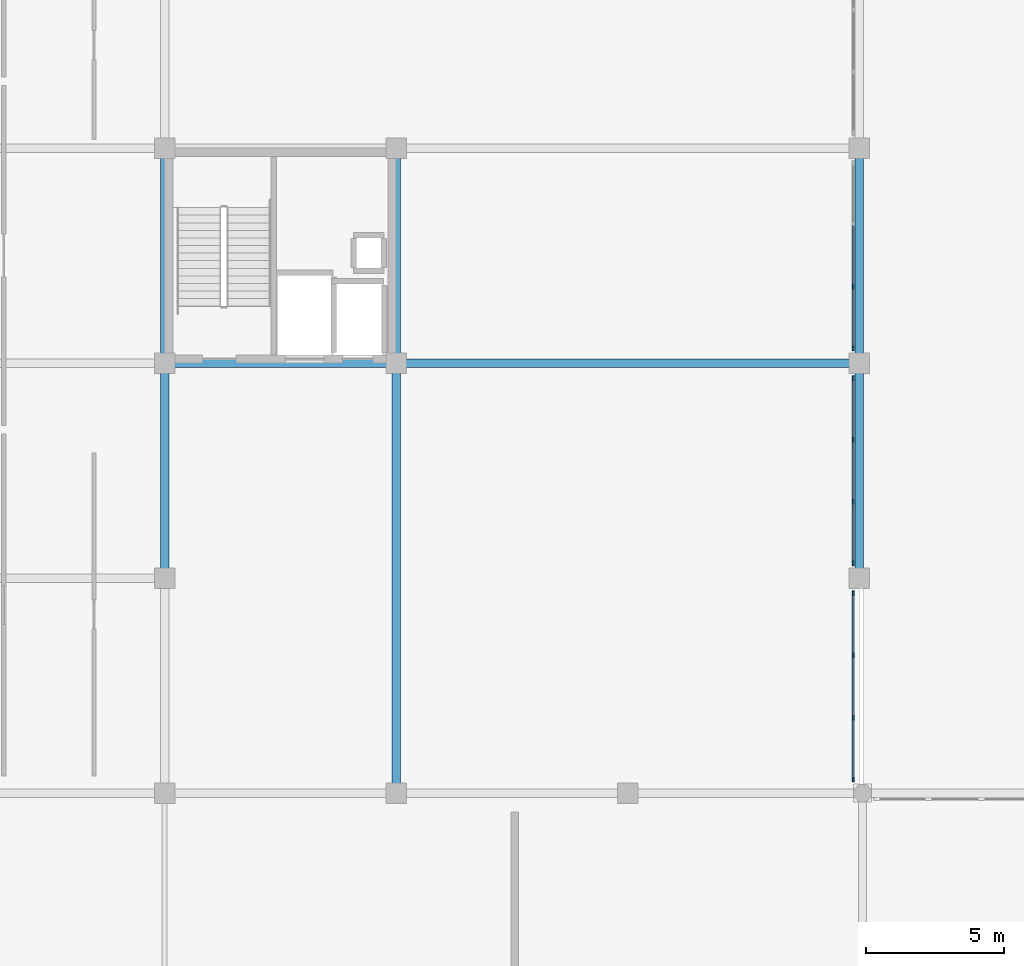
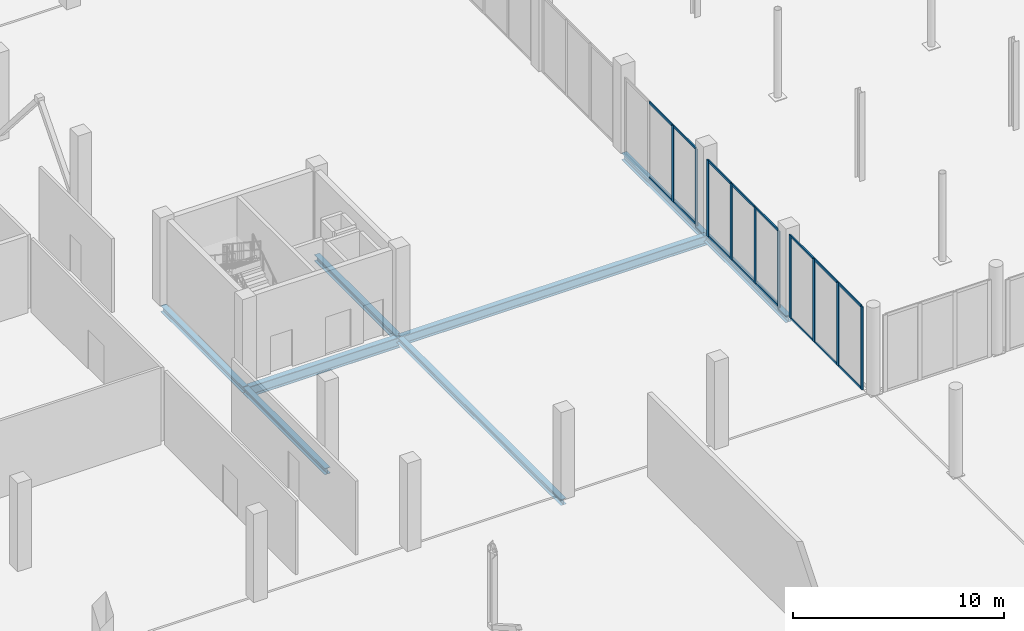
# One storey, part 22 of 80: 26 members, 8 beams, 3 elements without a shape of their own.
"""IFC4 building model written with IfcOpenShell, lengths in metres."""

from ifc_helpers import new_model, si_unit, direction, frame, origin, origin_2d, place, context, subcontext, project, spatial, rectangle, i_section, extrude, material, material_profile, profile_set, type_object, element, aggregate, save


model = new_model("IFC4")

# Units and contexts
model_context = context("Model", 3, precision=1e-05, world=origin(), true_north=direction((0.0, 1.0)))
body_context = subcontext(model_context, "Body", "Model", "MODEL_VIEW")
ifc_project = project(units=[si_unit("LENGTHUNIT", "METRE"), si_unit("AREAUNIT", "SQUARE_METRE"), si_unit("VOLUMEUNIT", "CUBIC_METRE"), si_unit("PLANEANGLEUNIT", "RADIAN"), si_unit("MASSUNIT", "GRAM", prefix="KILO")], contexts=[model_context])

# Site, building, storey
site_placement = place(None, origin())
site = spatial("IfcSite", under=ifc_project, at=site_placement, CompositionType="ELEMENT")
building_placement = place(site_placement, origin())
building = spatial("IfcBuilding", under=site, at=building_placement, Name="Nabrawat Pavilion Hospital", CompositionType="ELEMENT")
storey_placement = place(building_placement, origin())
storey = spatial("IfcBuildingStorey", under=building, at=storey_placement, Name="L00", CompositionType="ELEMENT", Elevation=0.0)

# Curtain wall, members
ifc_material_1 = material(Name="Anodised Aluminium", Category="aluminium")
curtain_wall_type = type_object("IfcCurtainWallType", Name="Healing Garden Cloister Curtain Wall", PredefinedType="USERDEFINED", material=ifc_material_1)
curtain_wall_1_placement = place(storey_placement, origin())
curtain_wall_1 = element("IfcCurtainWall", 1, at=curtain_wall_1_placement, inside=storey, type_object=curtain_wall_type, Name="L00 Healing Garden Cloister Curtain Wall 001", ObjectType="CURTAIN WALL", PredefinedType="USERDEFINED")
ifc_material_profile_1 = material_profile(ifc_material_1, rectangle(XDim=0.06494140625, YDim=0.179931640625, at=origin_2d()), Name="CWM 65x180")
ifc_profile_set_1 = profile_set([ifc_material_profile_1], Name="Anodised Aluminium")
member_type_1 = type_object("IfcMemberType", Name="Healing Garden Cloister Curtain Wall Mullion CWM 65x180", PredefinedType="MULLION", material=ifc_profile_set_1)
member_1_placement = place(storey_placement, frame((58.580078125, 39.49755859375, 0.0), z_axis=(0.0, 0.0, 1.0), x_axis=(-1.0, 0.0, 0.0)))
member_1 = element("IfcMember", 2, at=member_1_placement, type_object=member_type_1, Name="CW-CLN-01 mullion 1", PredefinedType="MULLION", context=body_context, shape_type="SweptSolid", body=[
    extrude(rectangle(XDim=0.06494140625, YDim=0.179931640625, at=origin_2d()), origin(), (0.0, 0.0, 1.0), 4.81005859375),
])
member_2_placement = place(storey_placement, frame((58.580078125, 41.73828125, 0.0), z_axis=(0.0, 0.0, 1.0), x_axis=(-1.0, 0.0, 0.0)))
member_2 = element("IfcMember", 3, at=member_2_placement, type_object=member_type_1, Name="CW-CLN-01 mullion 2", PredefinedType="MULLION", context=body_context, shape_type="SweptSolid", body=[
    extrude(rectangle(XDim=0.06494140625, YDim=0.179931640625, at=origin_2d()), origin(), (0.0, 0.0, 1.0), 4.81005859375),
])
member_3_placement = place(storey_placement, frame((58.580078125, 44.01171875, 0.0), z_axis=(0.0, 0.0, 1.0), x_axis=(-1.0, 0.0, 0.0)))
member_3 = element("IfcMember", 4, at=member_3_placement, type_object=member_type_1, Name="CW-CLN-01 mullion 3", PredefinedType="MULLION", context=body_context, shape_type="SweptSolid", body=[
    extrude(rectangle(XDim=0.06494140625, YDim=0.179931640625, at=origin_2d()), origin(), (0.0, 0.0, 1.0), 4.81005859375),
])
member_4_placement = place(storey_placement, frame((58.580078125, 46.25244140625, 0.0), z_axis=(0.0, 0.0, 1.0), x_axis=(-1.0, 0.0, 0.0)))
member_4 = element("IfcMember", 5, at=member_4_placement, type_object=member_type_1, Name="CW-CLN-01 mullion 4", PredefinedType="MULLION", context=body_context, shape_type="SweptSolid", body=[
    extrude(rectangle(XDim=0.06494140625, YDim=0.179931640625, at=origin_2d()), origin(), (0.0, 0.0, 1.0), 4.81005859375),
])

curtain_wall_2_placement = place(storey_placement, origin())
curtain_wall_2 = element("IfcCurtainWall", 6, at=curtain_wall_2_placement, inside=storey, type_object=curtain_wall_type, Name="L00 Healing Garden Cloister Curtain Wall 002", ObjectType="CURTAIN WALL", PredefinedType="USERDEFINED")
member_5_placement = place(storey_placement, frame((58.580078125, 47.347412109375, 0.0), z_axis=(0.0, 0.0, 1.0), x_axis=(-1.0, 0.0, 0.0)))
member_5 = element("IfcMember", 7, at=member_5_placement, type_object=member_type_1, Name="CW-CLN-01 mullion 1", PredefinedType="MULLION", context=body_context, shape_type="SweptSolid", body=[
    extrude(rectangle(XDim=0.06494140625, YDim=0.179931640625, at=origin_2d()), origin(), (0.0, 0.0, 1.0), 4.419921875),
])
member_6_placement = place(storey_placement, frame((58.580078125, 49.57177734375, 0.0), z_axis=(0.0, 0.0, 1.0), x_axis=(-1.0, 0.0, 0.0)))
member_6 = element("IfcMember", 8, at=member_6_placement, type_object=member_type_1, Name="CW-CLN-01 mullion 2", PredefinedType="MULLION", context=body_context, shape_type="SweptSolid", body=[
    extrude(rectangle(XDim=0.06494140625, YDim=0.179931640625, at=origin_2d()), origin(), (0.0, 0.0, 1.0), 4.419921875),
])
member_7_placement = place(storey_placement, frame((58.580078125, 51.828369140625, 0.0), z_axis=(0.0, 0.0, 1.0), x_axis=(-1.0, 0.0, 0.0)))
member_7 = element("IfcMember", 9, at=member_7_placement, type_object=member_type_1, Name="CW-CLN-01 mullion 3", PredefinedType="MULLION", context=body_context, shape_type="SweptSolid", body=[
    extrude(rectangle(XDim=0.06494140625, YDim=0.179931640625, at=origin_2d()), origin(), (0.0, 0.0, 1.0), 4.419921875),
])
member_8_placement = place(storey_placement, frame((58.580078125, 54.052490234375, 0.0), z_axis=(0.0, 0.0, 1.0), x_axis=(-1.0, 0.0, 0.0)))
member_8 = element("IfcMember", 10, at=member_8_placement, type_object=member_type_1, Name="CW-CLN-01 mullion 4", PredefinedType="MULLION", context=body_context, shape_type="SweptSolid", body=[
    extrude(rectangle(XDim=0.06494140625, YDim=0.179931640625, at=origin_2d()), origin(), (0.0, 0.0, 1.0), 4.419921875),
])

curtain_wall_3_placement = place(storey_placement, origin())
curtain_wall_3 = element("IfcCurtainWall", 11, at=curtain_wall_3_placement, inside=storey, type_object=curtain_wall_type, Name="L00 Healing Garden Cloister Curtain Wall 003", ObjectType="CURTAIN WALL", PredefinedType="USERDEFINED")
member_9_placement = place(storey_placement, frame((58.580078125, 55.1474609375, 0.0), z_axis=(0.0, 0.0, 1.0), x_axis=(-1.0, 0.0, 0.0)))
member_9 = element("IfcMember", 12, at=member_9_placement, type_object=member_type_1, Name="CW-CLN-01 mullion 1", PredefinedType="MULLION", context=body_context, shape_type="SweptSolid", body=[
    extrude(rectangle(XDim=0.06494140625, YDim=0.179931640625, at=origin_2d()), origin(), (0.0, 0.0, 1.0), 4.419921875),
])
member_10_placement = place(storey_placement, frame((58.580078125, 57.37158203125, 0.0), z_axis=(0.0, 0.0, 1.0), x_axis=(-1.0, 0.0, 0.0)))
member_10 = element("IfcMember", 13, at=member_10_placement, type_object=member_type_1, Name="CW-CLN-01 mullion 2", PredefinedType="MULLION", context=body_context, shape_type="SweptSolid", body=[
    extrude(rectangle(XDim=0.06494140625, YDim=0.179931640625, at=origin_2d()), origin(), (0.0, 0.0, 1.0), 4.419921875),
])

# Member
ifc_material_profile_2 = material_profile(ifc_material_1, rectangle(XDim=0.06494140625, YDim=0.135009765625, at=origin_2d()), Name="CWT 65x135")
ifc_profile_set_2 = profile_set([ifc_material_profile_2], Name="Anodised Aluminium")
member_type_2 = type_object("IfcMemberType", Name="Healing Garden Cloister Curtain Wall Transom CWT 65x135", PredefinedType="USERDEFINED", material=ifc_profile_set_2)
member_11_placement = place(storey_placement, frame((58.580078125, 39.530029296875, 0.032470703125), z_axis=(0.0, 1.0, 0.0), x_axis=(-1.0, 0.0, 0.0)))
member_11 = element("IfcMember", 14, at=member_11_placement, type_object=member_type_2, Name="CW-CLN-01 transom 1.1", ObjectType="TRANSOM", PredefinedType="USERDEFINED", context=body_context, shape_type="SweptSolid", body=[
    extrude(rectangle(XDim=0.06494140625, YDim=0.135009765625, at=origin_2d()), origin(), (0.0, 0.0, 1.0), 2.17578125),
])

member_12_placement = place(storey_placement, frame((58.580078125, 39.530029296875, 4.777587890625), z_axis=(0.0, 1.0, 0.0), x_axis=(-1.0, 0.0, 0.0)))
member_12 = element("IfcMember", 15, at=member_12_placement, type_object=member_type_2, Name="CW-CLN-01 transom 1.2", ObjectType="TRANSOM", PredefinedType="USERDEFINED", context=body_context, shape_type="SweptSolid", body=[
    extrude(rectangle(XDim=0.06494140625, YDim=0.135009765625, at=origin_2d()), origin(), (0.0, 0.0, 1.0), 2.17578125),
])

member_13_placement = place(storey_placement, frame((58.580078125, 41.770751953125, 0.032470703125), z_axis=(0.0, 1.0, 0.0), x_axis=(-1.0, 0.0, 0.0)))
member_13 = element("IfcMember", 16, at=member_13_placement, type_object=member_type_2, Name="CW-CLN-01 transom 2.1", ObjectType="TRANSOM", PredefinedType="USERDEFINED", context=body_context, shape_type="SweptSolid", body=[
    extrude(rectangle(XDim=0.06494140625, YDim=0.135009765625, at=origin_2d()), origin(), (0.0, 0.0, 1.0), 2.20849609375),
])

member_14_placement = place(storey_placement, frame((58.580078125, 41.770751953125, 4.777587890625), z_axis=(0.0, 1.0, 0.0), x_axis=(-1.0, 0.0, 0.0)))
member_14 = element("IfcMember", 17, at=member_14_placement, type_object=member_type_2, Name="CW-CLN-01 transom 2.2", ObjectType="TRANSOM", PredefinedType="USERDEFINED", context=body_context, shape_type="SweptSolid", body=[
    extrude(rectangle(XDim=0.06494140625, YDim=0.135009765625, at=origin_2d()), origin(), (0.0, 0.0, 1.0), 2.20849609375),
])

member_15_placement = place(storey_placement, frame((58.580078125, 44.044189453125, 0.032470703125), z_axis=(0.0, 1.0, 0.0), x_axis=(-1.0, 0.0, 0.0)))
member_15 = element("IfcMember", 18, at=member_15_placement, type_object=member_type_2, Name="CW-CLN-01 transom 3.1", ObjectType="TRANSOM", PredefinedType="USERDEFINED", context=body_context, shape_type="SweptSolid", body=[
    extrude(rectangle(XDim=0.06494140625, YDim=0.135009765625, at=origin_2d()), origin(), (0.0, 0.0, 1.0), 2.17578125),
])

member_16_placement = place(storey_placement, frame((58.580078125, 44.044189453125, 4.777587890625), z_axis=(0.0, 1.0, 0.0), x_axis=(-1.0, 0.0, 0.0)))
member_16 = element("IfcMember", 19, at=member_16_placement, type_object=member_type_2, Name="CW-CLN-01 transom 3.2", ObjectType="TRANSOM", PredefinedType="USERDEFINED", context=body_context, shape_type="SweptSolid", body=[
    extrude(rectangle(XDim=0.06494140625, YDim=0.135009765625, at=origin_2d()), origin(), (0.0, 0.0, 1.0), 2.17578125),
])

aggregate(curtain_wall_1, [member_1, member_2, member_3, member_4, member_11, member_12, member_13, member_14, member_15, member_16])

member_17_placement = place(storey_placement, frame((58.580078125, 47.3798828125, 0.032470703125), z_axis=(0.0, 1.0, 0.0), x_axis=(-1.0, 0.0, 0.0)))
member_17 = element("IfcMember", 20, at=member_17_placement, type_object=member_type_2, Name="CW-CLN-01 transom 1.1", ObjectType="TRANSOM", PredefinedType="USERDEFINED", context=body_context, shape_type="SweptSolid", body=[
    extrude(rectangle(XDim=0.06494140625, YDim=0.135009765625, at=origin_2d()), origin(), (0.0, 0.0, 1.0), 2.1591796875),
])

member_18_placement = place(storey_placement, frame((58.580078125, 47.3798828125, 4.387451171875), z_axis=(0.0, 1.0, 0.0), x_axis=(-1.0, 0.0, 0.0)))
member_18 = element("IfcMember", 21, at=member_18_placement, type_object=member_type_2, Name="CW-CLN-01 transom 1.2", ObjectType="TRANSOM", PredefinedType="USERDEFINED", context=body_context, shape_type="SweptSolid", body=[
    extrude(rectangle(XDim=0.06494140625, YDim=0.135009765625, at=origin_2d()), origin(), (0.0, 0.0, 1.0), 2.1591796875),
])

member_19_placement = place(storey_placement, frame((58.580078125, 49.604248046875, 0.032470703125), z_axis=(0.0, 1.0, 0.0), x_axis=(-1.0, 0.0, 0.0)))
member_19 = element("IfcMember", 22, at=member_19_placement, type_object=member_type_2, Name="CW-CLN-01 transom 2.1", ObjectType="TRANSOM", PredefinedType="USERDEFINED", context=body_context, shape_type="SweptSolid", body=[
    extrude(rectangle(XDim=0.06494140625, YDim=0.135009765625, at=origin_2d()), origin(), (0.0, 0.0, 1.0), 2.191650390625),
])

member_20_placement = place(storey_placement, frame((58.580078125, 49.604248046875, 4.387451171875), z_axis=(0.0, 1.0, 0.0), x_axis=(-1.0, 0.0, 0.0)))
member_20 = element("IfcMember", 23, at=member_20_placement, type_object=member_type_2, Name="CW-CLN-01 transom 2.2", ObjectType="TRANSOM", PredefinedType="USERDEFINED", context=body_context, shape_type="SweptSolid", body=[
    extrude(rectangle(XDim=0.06494140625, YDim=0.135009765625, at=origin_2d()), origin(), (0.0, 0.0, 1.0), 2.191650390625),
])

member_21_placement = place(storey_placement, frame((58.580078125, 51.86083984375, 0.032470703125), z_axis=(0.0, 1.0, 0.0), x_axis=(-1.0, 0.0, 0.0)))
member_21 = element("IfcMember", 24, at=member_21_placement, type_object=member_type_2, Name="CW-CLN-01 transom 3.1", ObjectType="TRANSOM", PredefinedType="USERDEFINED", context=body_context, shape_type="SweptSolid", body=[
    extrude(rectangle(XDim=0.06494140625, YDim=0.135009765625, at=origin_2d()), origin(), (0.0, 0.0, 1.0), 2.1591796875),
])

member_22_placement = place(storey_placement, frame((58.580078125, 51.86083984375, 4.387451171875), z_axis=(0.0, 1.0, 0.0), x_axis=(-1.0, 0.0, 0.0)))
member_22 = element("IfcMember", 25, at=member_22_placement, type_object=member_type_2, Name="CW-CLN-01 transom 3.2", ObjectType="TRANSOM", PredefinedType="USERDEFINED", context=body_context, shape_type="SweptSolid", body=[
    extrude(rectangle(XDim=0.06494140625, YDim=0.135009765625, at=origin_2d()), origin(), (0.0, 0.0, 1.0), 2.1591796875),
])

aggregate(curtain_wall_2, [member_5, member_6, member_7, member_8, member_17, member_18, member_19, member_20, member_21, member_22])

member_23_placement = place(storey_placement, frame((58.580078125, 55.179931640625, 0.032470703125), z_axis=(0.0, 1.0, 0.0), x_axis=(-1.0, 0.0, 0.0)))
member_23 = element("IfcMember", 26, at=member_23_placement, type_object=member_type_2, Name="CW-CLN-01 transom 1.1", ObjectType="TRANSOM", PredefinedType="USERDEFINED", context=body_context, shape_type="SweptSolid", body=[
    extrude(rectangle(XDim=0.06494140625, YDim=0.135009765625, at=origin_2d()), origin(), (0.0, 0.0, 1.0), 2.1591796875),
])

member_24_placement = place(storey_placement, frame((58.580078125, 55.179931640625, 4.387451171875), z_axis=(0.0, 1.0, 0.0), x_axis=(-1.0, 0.0, 0.0)))
member_24 = element("IfcMember", 27, at=member_24_placement, type_object=member_type_2, Name="CW-CLN-01 transom 1.2", ObjectType="TRANSOM", PredefinedType="USERDEFINED", context=body_context, shape_type="SweptSolid", body=[
    extrude(rectangle(XDim=0.06494140625, YDim=0.135009765625, at=origin_2d()), origin(), (0.0, 0.0, 1.0), 2.1591796875),
])

member_25_placement = place(storey_placement, frame((58.580078125, 57.404052734375, 0.032470703125), z_axis=(0.0, 1.0, 0.0), x_axis=(-1.0, 0.0, 0.0)))
member_25 = element("IfcMember", 28, at=member_25_placement, type_object=member_type_2, Name="CW-CLN-01 transom 2.1", ObjectType="TRANSOM", PredefinedType="USERDEFINED", context=body_context, shape_type="SweptSolid", body=[
    extrude(rectangle(XDim=0.06494140625, YDim=0.135009765625, at=origin_2d()), origin(), (0.0, 0.0, 1.0), 2.19189453125),
])

member_26_placement = place(storey_placement, frame((58.580078125, 57.404052734375, 4.387451171875), z_axis=(0.0, 1.0, 0.0), x_axis=(-1.0, 0.0, 0.0)))
member_26 = element("IfcMember", 29, at=member_26_placement, type_object=member_type_2, Name="CW-CLN-01 transom 2.2", ObjectType="TRANSOM", PredefinedType="USERDEFINED", context=body_context, shape_type="SweptSolid", body=[
    extrude(rectangle(XDim=0.06494140625, YDim=0.135009765625, at=origin_2d()), origin(), (0.0, 0.0, 1.0), 2.19189453125),
])

aggregate(curtain_wall_3, [member_9, member_10, member_23, member_24, member_25, member_26])

# Beams
ifc_material_2 = material(Name="Steel S355", Category="steel")
ifc_material_profile_3 = material_profile(ifc_material_2, i_section(OverallWidth=0.300048828125, OverallDepth=0.389892578125, WebThickness=0.010986328125, FlangeThickness=0.01904296875, FilletRadius=0.027099609375, at=origin_2d()), Name="HEA 400")
ifc_profile_set_3 = profile_set([ifc_material_profile_3], Name="Steel S355")
beam_type_1 = type_object("IfcBeamType", Name="Perimeter Moment Spandrel Beam HEA 400", PredefinedType="SPANDREL", material=ifc_profile_set_3)
beam_1_placement = place(storey_placement, frame((58.800048828125, 46.820068359375, -0.445068359375), z_axis=(0.0, 1.0, 0.0), x_axis=(-1.0, 0.0, 0.0)))
element("IfcBeam", 30, at=beam_1_placement, inside=storey, type_object=beam_type_1, Name="L00 Primary Y Beam 290", PredefinedType="SPANDREL", context=body_context, shape_type="SweptSolid", body=[
    extrude(i_section(OverallWidth=0.300048828125, OverallDepth=0.389892578125, WebThickness=0.010986328125, FlangeThickness=0.01904296875, FilletRadius=0.027099609375, at=origin_2d()), origin(), (0.0, 0.0, 1.0), 7.760009765625),
])
beam_2_placement = place(storey_placement, frame((58.800048828125, 54.6201171875, -0.445068359375), z_axis=(0.0, 1.0, 0.0), x_axis=(-1.0, 0.0, 0.0)))
element("IfcBeam", 31, at=beam_2_placement, inside=storey, type_object=beam_type_1, Name="L00 Primary Y Beam 291", PredefinedType="SPANDREL", context=body_context, shape_type="SweptSolid", body=[
    extrude(i_section(OverallWidth=0.300048828125, OverallDepth=0.389892578125, WebThickness=0.010986328125, FlangeThickness=0.01904296875, FilletRadius=0.027099609375, at=origin_2d()), origin(), (0.0, 0.0, 1.0), 7.759765625),
])
ifc_material_profile_4 = material_profile(ifc_material_2, i_section(OverallWidth=0.300048828125, OverallDepth=0.550048828125, WebThickness=0.014892578125, FlangeThickness=0.029052734375, FilletRadius=0.027099609375, at=origin_2d()), Name="HEB 550")
ifc_profile_set_4 = profile_set([ifc_material_profile_4], Name="Steel S355")
beam_type_2 = type_object("IfcBeamType", Name="Primary Floor Girder HEB 550", PredefinedType="USERDEFINED", material=ifc_profile_set_4)
beam_3_placement = place(storey_placement, frame((42.02001953125, 54.60009765625, -0.52490234375), z_axis=(1.0, 0.0, 0.0), x_axis=(0.0, 1.0, 0.0)))
element("IfcBeam", 32, at=beam_3_placement, inside=storey, type_object=beam_type_2, Name="L00 Primary X Girder 101", ObjectType="GIRDER", PredefinedType="USERDEFINED", context=body_context, shape_type="SweptSolid", body=[
    extrude(i_section(OverallWidth=0.300048828125, OverallDepth=0.550048828125, WebThickness=0.014892578125, FlangeThickness=0.029052734375, FilletRadius=0.027099609375, at=origin_2d()), origin(), (0.0, 0.0, 1.0), 16.760009765625),
])
ifc_material_profile_5 = material_profile(ifc_material_2, i_section(OverallWidth=0.300048828125, OverallDepth=0.60009765625, WebThickness=0.015380859375, FlangeThickness=0.030029296875, FilletRadius=0.027099609375, at=origin_2d()), Name="HEB 600")
ifc_profile_set_5 = profile_set([ifc_material_profile_5], Name="Steel S355")
beam_type_3 = type_object("IfcBeamType", Name="Primary Long-Span Girder HEB 600", PredefinedType="USERDEFINED", material=ifc_profile_set_5)
beam_4_placement = place(storey_placement, frame((33.6201171875, 54.60009765625, -0.550048828125), z_axis=(1.0, 0.0, 0.0), x_axis=(0.0, 1.0, 0.0)))
element("IfcBeam", 33, at=beam_4_placement, inside=storey, type_object=beam_type_3, Name="L00 Primary X Girder 100", ObjectType="GIRDER", PredefinedType="USERDEFINED", context=body_context, shape_type="SweptSolid", body=[
    extrude(i_section(OverallWidth=0.300048828125, OverallDepth=0.60009765625, WebThickness=0.015380859375, FlangeThickness=0.030029296875, FilletRadius=0.027099609375, at=origin_2d()), origin(), (0.0, 0.0, 1.0), 8.35986328125),
])
ifc_material_profile_6 = material_profile(ifc_material_2, i_section(OverallWidth=0.300048828125, OverallDepth=0.35009765625, WebThickness=0.009521484375, FlangeThickness=0.017578125, FilletRadius=0.027099609375, at=origin_2d()), Name="HEA 360")
ifc_profile_set_6 = profile_set([ifc_material_profile_6], Name="Steel S355")
beam_type_4 = type_object("IfcBeamType", Name="Surgical Stiffened Beam HEA 360", PredefinedType="BEAM", material=ifc_profile_set_6)
beam_5_placement = place(storey_placement, frame((33.60009765625, 46.820068359375, -0.425048828125), z_axis=(0.0, 1.0, 0.0), x_axis=(-1.0, 0.0, 0.0)))
element("IfcBeam", 34, at=beam_5_placement, inside=storey, type_object=beam_type_4, Name="L00 Primary Y Beam 278", PredefinedType="BEAM", context=body_context, shape_type="SweptSolid", body=[
    extrude(i_section(OverallWidth=0.300048828125, OverallDepth=0.35009765625, WebThickness=0.009521484375, FlangeThickness=0.017578125, FilletRadius=0.027099609375, at=origin_2d()), origin(), (0.0, 0.0, 1.0), 7.760009765625),
])
beam_6_placement = place(storey_placement, frame((33.60009765625, 54.6201171875, -0.425048828125), z_axis=(0.0, 1.0, 0.0), x_axis=(-1.0, 0.0, 0.0)))
element("IfcBeam", 35, at=beam_6_placement, inside=storey, type_object=beam_type_4, Name="L00 Primary Y Beam 279", PredefinedType="BEAM", context=body_context, shape_type="SweptSolid", body=[
    extrude(i_section(OverallWidth=0.300048828125, OverallDepth=0.35009765625, WebThickness=0.009521484375, FlangeThickness=0.017578125, FilletRadius=0.027099609375, at=origin_2d()), origin(), (0.0, 0.0, 1.0), 7.759765625),
])
beam_7_placement = place(storey_placement, frame((42.0, 39.02001953125, -0.425048828125), z_axis=(0.0, 1.0, 0.0), x_axis=(-1.0, 0.0, 0.0)))
element("IfcBeam", 36, at=beam_7_placement, inside=storey, type_object=beam_type_4, Name="L00 Primary Y Beam 287", PredefinedType="BEAM", context=body_context, shape_type="SweptSolid", body=[
    extrude(i_section(OverallWidth=0.300048828125, OverallDepth=0.35009765625, WebThickness=0.009521484375, FlangeThickness=0.017578125, FilletRadius=0.027099609375, at=origin_2d()), origin(), (0.0, 0.0, 1.0), 15.56005859375),
])
beam_8_placement = place(storey_placement, frame((42.0, 54.6201171875, -0.425048828125), z_axis=(0.0, 1.0, 0.0), x_axis=(-1.0, 0.0, 0.0)))
element("IfcBeam", 37, at=beam_8_placement, inside=storey, type_object=beam_type_4, Name="L00 Primary Y Beam 288", PredefinedType="BEAM", context=body_context, shape_type="SweptSolid", body=[
    extrude(i_section(OverallWidth=0.300048828125, OverallDepth=0.35009765625, WebThickness=0.009521484375, FlangeThickness=0.017578125, FilletRadius=0.027099609375, at=origin_2d()), origin(), (0.0, 0.0, 1.0), 7.759765625),
])

save(model, "model.ifc")
